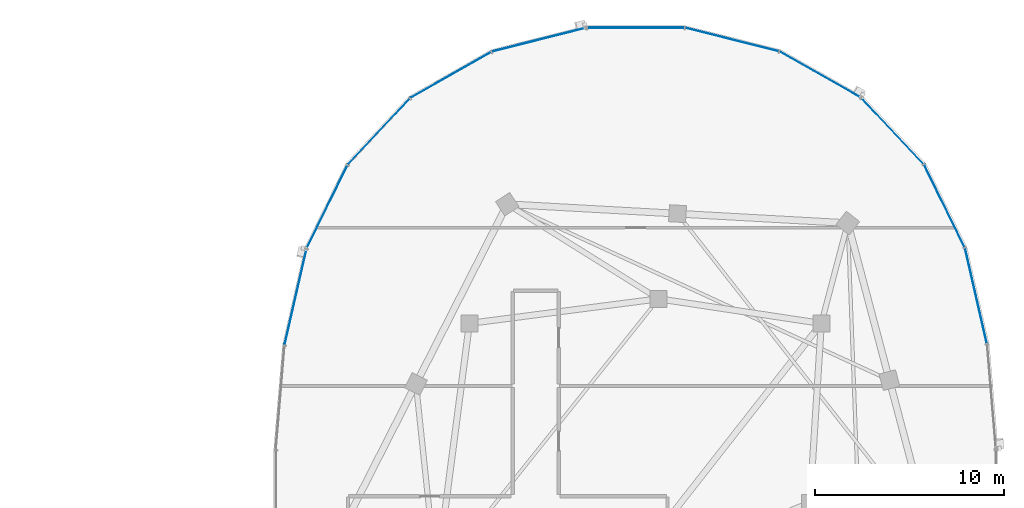
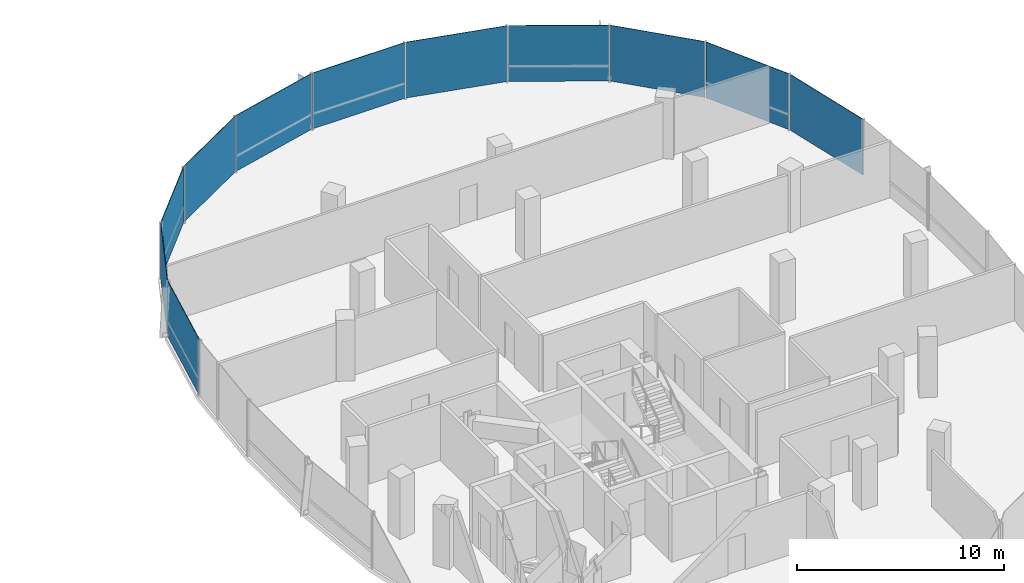
# One storey, part 14 of 25: 11 plates, 2 elements without a shape of their own.
"""IFC4 building model written with IfcOpenShell, lengths in metres."""

from ifc_helpers import new_model, si_unit, direction, frame, origin, origin_2d, place, context, subcontext, project, spatial, rectangle, extrude, material, layer, layer_set, type_object, element, aggregate, save


model = new_model("IFC4")

# Units and contexts
model_context = context("Model", 3, precision=1e-05, world=origin(), true_north=direction((0.0, 1.0)))
body_context = subcontext(model_context, "Body", "Model", "MODEL_VIEW")
ifc_project = project(units=[si_unit("LENGTHUNIT", "METRE"), si_unit("AREAUNIT", "SQUARE_METRE"), si_unit("VOLUMEUNIT", "CUBIC_METRE"), si_unit("PLANEANGLEUNIT", "RADIAN"), si_unit("MASSUNIT", "GRAM", prefix="KILO"), si_unit("THERMODYNAMICTEMPERATUREUNIT", "KELVIN"), si_unit("POWERUNIT", "WATT")], contexts=[model_context])

# Site, building, storey
site_placement = place(None, origin())
site = spatial("IfcSite", under=ifc_project, at=site_placement, CompositionType="ELEMENT")
building_placement = place(site_placement, origin())
building = spatial("IfcBuilding", under=site, at=building_placement, Name="Cundina Bronze Exchange", CompositionType="ELEMENT")
storey_placement = place(building_placement, frame((0.0, 0.0, 220.60009765625)))
storey = spatial("IfcBuildingStorey", under=building, at=storey_placement, Name="L58", CompositionType="ELEMENT", Elevation=220.60009765625)

# Curtain wall, plates
ifc_material_1 = material(Name="Anodised Bronze Aluminium 6063-T6", Category="aluminium")
curtain_wall_type = type_object("IfcCurtainWallType", Name="CWS-UPP-OFF", PredefinedType="NOTDEFINED", material=ifc_material_1)
curtain_wall_1_placement = place(storey_placement, origin())
curtain_wall_1 = element("IfcCurtainWall", 1, at=curtain_wall_1_placement, inside=storey, type_object=curtain_wall_type, Name="L58 CW-05 Curtain Wall Run CWR-L58-E1", PredefinedType="NOTDEFINED")
ifc_material_2 = material(Name="Heat-Strengthened Solar-Control Bronze Safety Glass 28mm", Category="glass")
ifc_layer_1 = layer(ifc_material_2, 0.028076171875, Name="Heat-Strengthened Solar-Control Bronze Safety Glass 28mm", Category="glass")
ifc_layer_set_1 = layer_set([ifc_layer_1], Name="Heat-Strengthened Solar-Control Bronze Safety Glass 28mm")
plate_type_1 = type_object("IfcPlateType", Name="PLT-GLZ-VIS28", PredefinedType="CURTAIN_PANEL", material=ifc_layer_set_1)
plate_1_placement = place(storey_placement, frame((48.314697265625, 15.686767578125, 0.02001953125), z_axis=(0.0, 0.0, 1.0), x_axis=(-0.440503330345, 0.897750976582, 0.0)))
plate_1 = element("IfcPlate", 2, at=plate_1_placement, type_object=plate_type_1, Name="CW-05 Glazed Panel 3", PredefinedType="CURTAIN_PANEL", context=body_context, shape_type="SweptSolid", body=[
    extrude(rectangle(XDim=4.863525390625, YDim=0.028076171875, at=origin_2d()), origin(), (0.0, 0.0, 1.0), 3.300048828125),
])
plate_2_placement = place(storey_placement, frame((45.5791015625, 19.6552734375, 0.02001953125), z_axis=(0.0, 0.0, 1.0), x_axis=(-0.684343512797, 0.72915976061, 0.0)))
plate_2 = element("IfcPlate", 3, at=plate_2_placement, type_object=plate_type_1, Name="CW-05 Glazed Panel 4", PredefinedType="CURTAIN_PANEL", context=body_context, shape_type="SweptSolid", body=[
    extrude(rectangle(XDim=4.773193359375, YDim=0.028076171875, at=origin_2d()), origin(), (0.0, 0.0, 1.0), 3.300048828125),
])
plate_3_placement = place(storey_placement, frame((41.769287109375, 22.64111328125, 0.02001953125), z_axis=(0.0, 0.0, 1.0), x_axis=(-0.869572506985, 0.493805280547, 0.0)))
plate_3 = element("IfcPlate", 4, at=plate_3_placement, type_object=plate_type_1, Name="CW-05 Glazed Panel 5", PredefinedType="CURTAIN_PANEL", context=body_context, shape_type="SweptSolid", body=[
    extrude(rectangle(XDim=4.907958984375, YDim=0.028076171875, at=origin_2d()), origin(), (0.0, 0.0, 1.0), 3.300048828125),
])
plate_4_placement = place(storey_placement, frame((37.11279296875, 24.49609375, 0.02001953125), z_axis=(0.0, 0.0, 1.0), x_axis=(-0.969731542251, 0.244173577528, 0.0)))
plate_4 = element("IfcPlate", 5, at=plate_4_placement, type_object=plate_type_1, Name="CW-05 Glazed Panel 6", PredefinedType="CURTAIN_PANEL", context=body_context, shape_type="SweptSolid", body=[
    extrude(rectangle(XDim=5.0908203125, YDim=0.028076171875, at=origin_2d()), origin(), (0.0, 0.0, 1.0), 3.300048828125),
])

curtain_wall_2_placement = place(storey_placement, origin())
curtain_wall_2 = element("IfcCurtainWall", 6, at=curtain_wall_2_placement, inside=storey, type_object=curtain_wall_type, Name="L58 CW-05 Curtain Wall Run CWR-L58-E2", PredefinedType="NOTDEFINED")
plate_5_placement = place(storey_placement, frame((22.230712890625, 22.64111328125, 0.02001953125), z_axis=(0.0, 0.0, 1.0), x_axis=(-0.869572506985, -0.493805280547, 0.0)))
plate_5 = element("IfcPlate", 7, at=plate_5_placement, type_object=plate_type_1, Name="CW-05 Glazed Panel 2", PredefinedType="CURTAIN_PANEL", context=body_context, shape_type="SweptSolid", body=[
    extrude(rectangle(XDim=4.907958984375, YDim=0.028076171875, at=origin_2d()), origin(), (0.0, 0.0, 1.0), 3.300048828125),
])
plate_6_placement = place(storey_placement, frame((18.4208984375, 19.6552734375, 0.02001953125), z_axis=(0.0, 0.0, 1.0), x_axis=(-0.684343512797, -0.72915976061, 0.0)))
plate_6 = element("IfcPlate", 8, at=plate_6_placement, type_object=plate_type_1, Name="CW-05 Glazed Panel 3", PredefinedType="CURTAIN_PANEL", context=body_context, shape_type="SweptSolid", body=[
    extrude(rectangle(XDim=4.773193359375, YDim=0.028076171875, at=origin_2d()), origin(), (0.0, 0.0, 1.0), 3.300048828125),
])
plate_7_placement = place(storey_placement, frame((15.685302734375, 15.686767578125, 0.02001953125), z_axis=(0.0, 0.0, 1.0), x_axis=(-0.440503330345, -0.897750976582, 0.0)))
plate_7 = element("IfcPlate", 9, at=plate_7_placement, type_object=plate_type_1, Name="CW-05 Glazed Panel 4", PredefinedType="CURTAIN_PANEL", context=body_context, shape_type="SweptSolid", body=[
    extrude(rectangle(XDim=4.863525390625, YDim=0.028076171875, at=origin_2d()), origin(), (0.0, 0.0, 1.0), 3.300048828125),
])
plate_8_placement = place(storey_placement, frame((14.01611328125, 10.92578125, 0.02001953125), z_axis=(0.0, 0.0, 1.0), x_axis=(-0.223284141459, -0.974753400698, 0.0)))
plate_8 = element("IfcPlate", 10, at=plate_8_placement, type_object=plate_type_1, Name="CW-05 Glazed Panel 5", PredefinedType="CURTAIN_PANEL", context=body_context, shape_type="SweptSolid", body=[
    extrude(rectangle(XDim=5.167724609375, YDim=0.028076171875, at=origin_2d()), origin(), (0.0, 0.0, 1.0), 3.300048828125),
])

# Plate
ifc_material_3 = material(Name="Dark Bronze Spandrel Glass Panel 32mm", Category="glass")
ifc_layer_2 = layer(ifc_material_3, 0.031982421875, Name="Dark Bronze Spandrel Glass Panel 32mm", Category="glass")
ifc_layer_set_2 = layer_set([ifc_layer_2], Name="Dark Bronze Spandrel Glass Panel 32mm")
plate_type_2 = type_object("IfcPlateType", Name="PLT-SPN-BRZ32", PredefinedType="CURTAIN_PANEL", material=ifc_layer_set_2)
plate_9_placement = place(storey_placement, frame((49.98388671875, 10.92578125, 0.02001953125), z_axis=(0.0, 0.0, 1.0), x_axis=(-0.223284141459, 0.974753400698, 0.0)))
plate_9 = element("IfcPlate", 11, at=plate_9_placement, type_object=plate_type_2, Name="CW-05 Glazed Panel 2", PredefinedType="CURTAIN_PANEL", context=body_context, shape_type="SweptSolid", body=[
    extrude(rectangle(XDim=5.167724609375, YDim=0.031982421875, at=origin_2d()), origin(), (0.0, 0.0, 1.0), 3.300048828125),
])

plate_10_placement = place(storey_placement, frame((32.0, 25.125, 0.02001953125), z_axis=(0.0, 0.0, 1.0), x_axis=(-1.0, 0.0, 0.0)))
plate_10 = element("IfcPlate", 12, at=plate_10_placement, type_object=plate_type_2, Name="CW-05 Glazed Panel 7", PredefinedType="CURTAIN_PANEL", context=body_context, shape_type="SweptSolid", body=[
    extrude(rectangle(XDim=5.16796875, YDim=0.031982421875, at=origin_2d()), origin(), (0.0, 0.0, 1.0), 3.300048828125),
])

aggregate(curtain_wall_1, [plate_9, plate_1, plate_2, plate_3, plate_4, plate_10])

plate_11_placement = place(storey_placement, frame((26.88720703125, 24.49609375, 0.02001953125), z_axis=(0.0, 0.0, 1.0), x_axis=(-0.969731542251, -0.244173577528, 0.0)))
plate_11 = element("IfcPlate", 13, at=plate_11_placement, type_object=plate_type_2, Name="CW-05 Glazed Panel 1", PredefinedType="CURTAIN_PANEL", context=body_context, shape_type="SweptSolid", body=[
    extrude(rectangle(XDim=5.0908203125, YDim=0.031982421875, at=origin_2d()), origin(), (0.0, 0.0, 1.0), 3.300048828125),
])

aggregate(curtain_wall_2, [plate_11, plate_5, plate_6, plate_7, plate_8])

save(model, "model.ifc")
